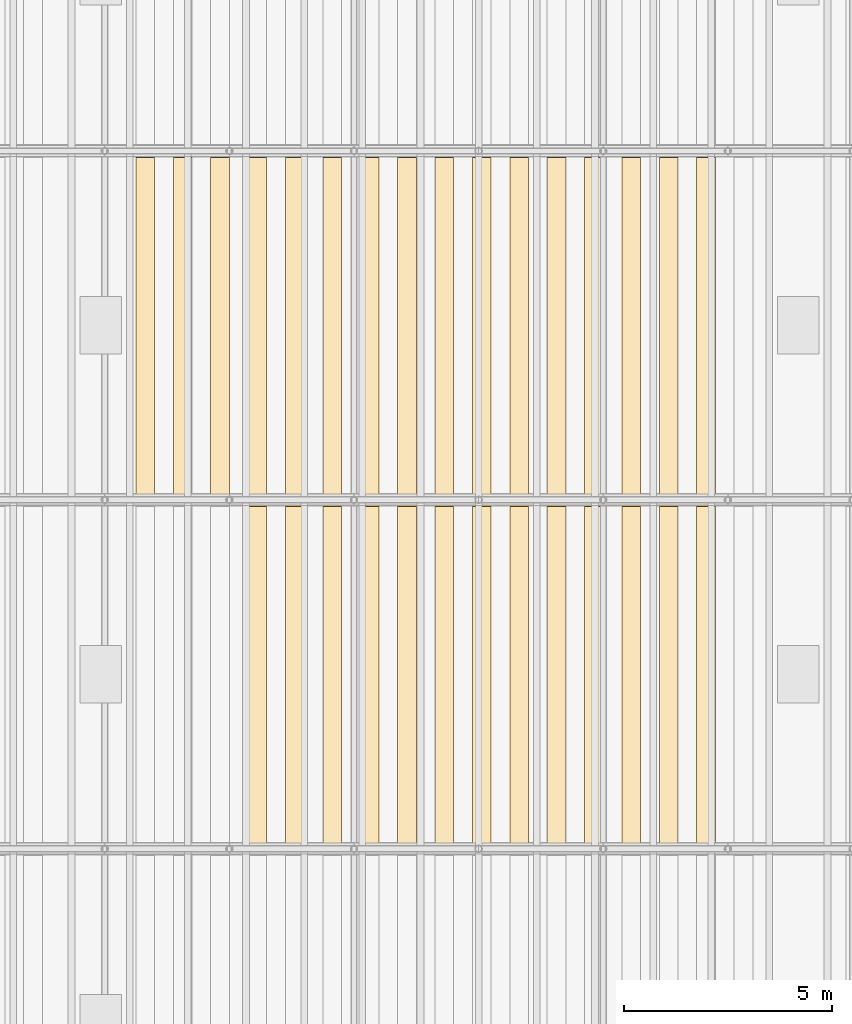
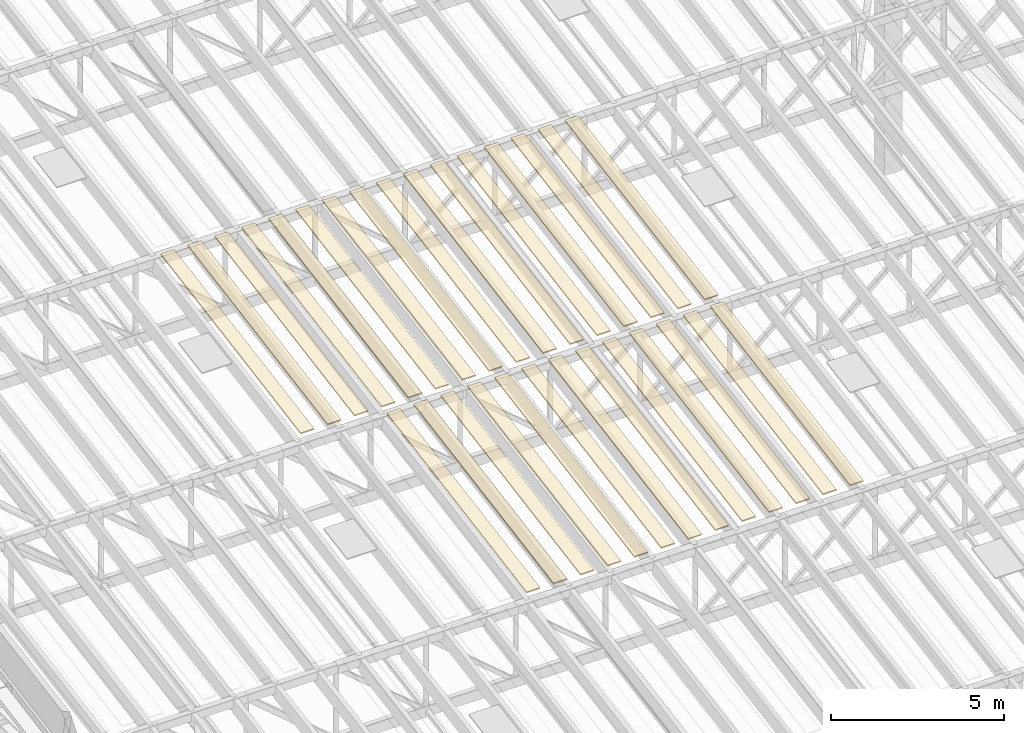
# One storey, part 80 of 91: 29 coverings.
"""IFC4 building model written with IfcOpenShell, lengths in metres."""

import ifcopenshell
import ifcopenshell.guid

model = None  # the IFC model being written
_history = None  # IfcOwnerHistory: only IFC2X3 demands one
_inside = {}  # id of a spatial element -> (the spatial element, [elements in it])
_under = {}  # id of a project, library or spatial element -> (it, [spatial elements below it])
_declared = {}  # id of a project -> (the project, [libraries it declares])
_typed = {}  # id of a type object -> (the type object, [elements of that type])
_made_of = {}  # id of a material, layer set ... -> (it, [elements and type objects made of it])


def new_model(schema):
    """Start an empty IFC model of exactly this schema.

    Asked for "IFC4X3", IfcOpenShell would pick the latest addendum, in which some entities
    have other attributes; the version numbers below select the first issue.
    IFC2X3 requires an IfcOwnerHistory on every rooted entity: one is made here for all.
    """
    global model, _history
    if schema == "IFC4X3":
        model = ifcopenshell.file(schema_version=(4, 3, 0, 0))
    else:
        model = ifcopenshell.file(schema=schema)
    _inside.clear()
    _under.clear()
    _declared.clear()
    _typed.clear()
    _made_of.clear()
    _history = None
    if model.schema == "IFC2X3":
        org = make("IfcOrganization", Name="unknown")
        user = make(
            "IfcPersonAndOrganization",
            ThePerson=make("IfcPerson", FamilyName="unknown"),
            TheOrganization=org,
        )
        app = make(
            "IfcApplication",
            ApplicationDeveloper=org,
            Version="unknown",
            ApplicationFullName="unknown",
            ApplicationIdentifier="unknown",
        )
        _history = make(
            "IfcOwnerHistory",
            OwningUser=user,
            OwningApplication=app,
            ChangeAction="ADDED",
            CreationDate=0,
        )
    return model


def make(cls, **values):
    """One entity of the class cls with the attributes given. An attribute that is None is left unset."""
    return model.create_entity(
        cls, **{name: value for name, value in values.items() if value is not None}
    )


def rooted(cls, **values):
    """An entity with a GlobalId (a new one), such as an element, a storey or a relation."""
    return make(cls, GlobalId=ifcopenshell.guid.new(), OwnerHistory=_history, **values)


def si_unit(unit_type, name, prefix=None):
    """IfcSIUnit, for example si_unit("LENGTHUNIT", "METRE", prefix="MILLI")."""
    return make("IfcSIUnit", UnitType=unit_type, Prefix=prefix, Name=name)


def assignment(units):
    """IfcUnitAssignment: the units of a project."""
    return None if units is None else make("IfcUnitAssignment", Units=units)


def point(xyz):
    """IfcCartesianPoint."""
    return None if xyz is None else make("IfcCartesianPoint", Coordinates=xyz)


def direction(xyz):
    """IfcDirection."""
    return None if xyz is None else make("IfcDirection", DirectionRatios=xyz)


def frame(location, z_axis=None, x_axis=None):
    """IfcAxis2Placement3D, a coordinate frame: its origin and axes. An axis left out is left unset."""
    return make(
        "IfcAxis2Placement3D",
        Location=point(location),
        Axis=direction(z_axis),
        RefDirection=direction(x_axis),
    )


def origin():
    """The frame at (0, 0, 0) with its axes left unset."""
    return frame((0.0, 0.0, 0.0))


def place(relative_to, where):
    """IfcLocalPlacement: puts the frame where relative to a parent placement (None: the world)."""
    return make(
        "IfcLocalPlacement", PlacementRelTo=relative_to, RelativePlacement=where
    )


def context(
    kind, dimensions, precision=None, world=None, true_north=None, identifier=None
):
    """IfcGeometricRepresentationContext, for example the 3D "Model" context."""
    return make(
        "IfcGeometricRepresentationContext",
        ContextIdentifier=identifier,
        ContextType=kind,
        CoordinateSpaceDimension=dimensions,
        Precision=precision,
        WorldCoordinateSystem=world,
        TrueNorth=true_north,
    )


def subcontext(parent, identifier, kind, view, scale=None):
    """IfcGeometricRepresentationSubContext, for example "Body" below "Model"."""
    return make(
        "IfcGeometricRepresentationSubContext",
        ContextIdentifier=identifier,
        ContextType=kind,
        ParentContext=parent,
        TargetScale=scale,
        TargetView=view,
    )


def project(units=None, contexts=None):
    """IfcProject with its units and contexts."""
    return rooted(
        "IfcProject",
        Name="project",
        RepresentationContexts=contexts,
        UnitsInContext=assignment(units),
    )


def spatial(cls, under=None, at=None, **own):
    """A site, building, storey or space (cls), placed at a placement, below another one or the project."""
    s = rooted(cls, ObjectPlacement=at, **own)
    if under is not None:
        _under.setdefault(under.id(), (under, []))[1].append(s)
    return s


def polyline(points):
    """IfcPolyline through the points."""
    return make("IfcPolyline", Points=[point(p) for p in points])


def outline(outer, holes=None, kind="AREA"):
    """IfcArbitraryClosedProfileDef: a profile drawn as a closed curve; with holes, ...WithVoids."""
    if holes is None:
        return make("IfcArbitraryClosedProfileDef", ProfileType=kind, OuterCurve=outer)
    return make(
        "IfcArbitraryProfileDefWithVoids",
        ProfileType=kind,
        OuterCurve=outer,
        InnerCurves=holes,
    )


def extrude(swept, where, along, depth):
    """IfcExtrudedAreaSolid: the profile swept, set in the frame where, extruded along a direction by depth."""
    return make(
        "IfcExtrudedAreaSolid",
        SweptArea=swept,
        Position=where,
        ExtrudedDirection=direction(along),
        Depth=depth,
    )


def shape(context_of_items, identifier, shape_type, items):
    """IfcShapeRepresentation: the items that make up one representation, for example the "Body"."""
    return make(
        "IfcShapeRepresentation",
        ContextOfItems=context_of_items,
        RepresentationIdentifier=identifier,
        RepresentationType=shape_type,
        Items=items,
    )


def material(Name=None, Category=None):
    """IfcMaterial."""
    return make("IfcMaterial", Name=Name, Category=Category)


def layer(
    of_material, thickness, ventilated=None, Name=None, Category=None, Priority=None
):
    """IfcMaterialLayer: one layer of a wall or slab, of a material (None: an air gap)."""
    return make(
        "IfcMaterialLayer",
        Material=of_material,
        LayerThickness=thickness,
        IsVentilated=ventilated,
        Name=Name,
        Category=Category,
        Priority=Priority,
    )


def layer_set(layers, Name=None):
    """IfcMaterialLayerSet."""
    return make("IfcMaterialLayerSet", MaterialLayers=layers, LayerSetName=Name)


def made_of(thing, what):
    """Note that an element or type object is made of a material, layer set ...; save() writes the relation."""
    if what is not None:
        _made_of.setdefault(what.id(), (what, []))[1].append(thing)
    return thing


def type_object(cls, material=None, **own):
    """A type object (cls), such as IfcWallType, which elements share."""
    return made_of(rooted(cls, **own), material)


def element(
    cls,
    number,
    at=None,
    inside=None,
    cuts=None,
    type_object=None,
    material=None,
    context=None,
    identifier="Body",
    shape_type=None,
    held_by="IfcProductDefinitionShape",
    body=None,
    shapes=None,
    **own,
):
    """One element of the class cls, such as IfcWall. Its Tag is "e" and its number.

    at: its placement. inside: the storey or other place that contains it. cuts: it is an
    opening in that element (IfcRelVoidsElement). A single representation is given by context,
    identifier, shape_type and body (its items); several are given by shapes. held_by: the class
    of the entity that holds the representations. save() writes the other relations.
    """
    e = rooted(cls, Tag="e%d" % number, ObjectPlacement=at, **own)
    if body is not None:
        shapes = [shape(context, identifier, shape_type, body)]
    if shapes is not None:
        e.Representation = make(held_by, Representations=shapes)
    if inside is not None:
        _inside.setdefault(inside.id(), (inside, []))[1].append(e)
    if cuts is not None:
        rooted(
            "IfcRelVoidsElement", RelatingBuildingElement=cuts, RelatedOpeningElement=e
        )
    if type_object is not None:
        _typed.setdefault(type_object.id(), (type_object, []))[1].append(e)
    return made_of(e, material)


def aggregate(whole, parts):
    """IfcRelAggregates: a whole, such as a stair, and the parts it consists of."""
    return rooted("IfcRelAggregates", RelatingObject=whole, RelatedObjects=parts)


def save(model, path):
    """Write the relations noted so far, then the file.

    IfcRelAggregates (storeys below a building ...), IfcRelContainedInSpatialStructure (elements
    in a storey), IfcRelDefinesByType, IfcRelAssociatesMaterial and IfcRelDeclares: one each for
    every whole, place, type object, material and project.
    """
    for whole, parts in _under.values():
        aggregate(whole, parts)
    for where, things in _inside.values():
        rooted(
            "IfcRelContainedInSpatialStructure",
            RelatedElements=things,
            RelatingStructure=where,
        )
    for kind, things in _typed.values():
        rooted("IfcRelDefinesByType", RelatedObjects=things, RelatingType=kind)
    for what, things in _made_of.values():
        rooted("IfcRelAssociatesMaterial", RelatedObjects=things, RelatingMaterial=what)
    for by, libraries in _declared.values():
        rooted("IfcRelDeclares", RelatingContext=by, RelatedDefinitions=libraries)
    model.write(path)


model = new_model("IFC4")

# Units and contexts
model_context = context("Model", 3, precision=1e-05, world=origin(), true_north=direction((0.0, 1.0)))
body_context = subcontext(model_context, "Body", "Model", "MODEL_VIEW")
ifc_project = project(units=[si_unit("LENGTHUNIT", "METRE"), si_unit("AREAUNIT", "SQUARE_METRE"), si_unit("VOLUMEUNIT", "CUBIC_METRE"), si_unit("PLANEANGLEUNIT", "RADIAN"), si_unit("MASSUNIT", "GRAM", prefix="KILO")], contexts=[model_context])

# Site, building, storey
site_placement = place(None, origin())
site = spatial("IfcSite", under=ifc_project, at=site_placement, CompositionType="ELEMENT")
building_placement = place(site_placement, origin())
building = spatial("IfcBuilding", under=site, at=building_placement, Name="Almond Square Museum", CompositionType="ELEMENT")
storey_placement = place(building_placement, frame((0.0, 0.0, 30.0)))
storey = spatial("IfcBuildingStorey", under=building, at=storey_placement, Name="L05", CompositionType="ELEMENT", Elevation=30.0)

# Coverings
ifc_material = material(Name="Cedar timber roof board", Category="wood")
ifc_layer = layer(ifc_material, 0.0400390625)
ifc_layer_set = layer_set([ifc_layer], Name="Cedar timber roof board")
covering_type = type_object("IfcCoveringType", Name="Hall roof board 450 x 40", PredefinedType="CLADDING", material=ifc_layer_set)
covering_1_placement = place(storey_placement, frame((122.699951171875, 75.449951171875, 10.8837890625), z_axis=(0.0, -0.17238105195, 0.985030341121), x_axis=(-1.0, 0.0, 0.0)))
element("IfcCovering", 1, at=covering_1_placement, inside=storey, type_object=covering_type, Name="Hall roof board", PredefinedType="CLADDING", context=body_context, shape_type="SweptSolid", body=[
    extrude(outline(polyline([(0.0, 0.0), (0.449951171875, 0.0), (0.449951171875, 8.22294824584652), (0.0, 8.22294824584652), (0.0, 0.0)])), origin(), (0.0, 0.0, 1.0), 0.0400390625),
])
covering_2_placement = place(storey_placement, frame((123.60009765625, 75.449951171875, 10.8837890625), z_axis=(0.0, -0.17238105195, 0.985030341121), x_axis=(-1.0, 0.0, 0.0)))
element("IfcCovering", 2, at=covering_2_placement, inside=storey, type_object=covering_type, Name="Hall roof board", PredefinedType="CLADDING", context=body_context, shape_type="SweptSolid", body=[
    extrude(outline(polyline([(0.0, 0.0), (0.4501953125, 0.0), (0.4501953125, 8.222948245846522), (0.0, 8.222948245846522), (0.0, 0.0)])), origin(), (0.0, 0.0, 1.0), 0.0400390625),
])
for number, where, z_axis, x_axis, name in (
    (3, (124.5, 75.449951171875, 10.8837890625), (0.0, -0.17238105195, 0.985030341121), (-1.0, 0.0, 0.0), "Hall roof board"),
    (4, (125.39990234375, 75.449951171875, 10.8837890625), (0.0, -0.17238105195, 0.985030341121), (-1.0, 0.0, 0.0), "Hall roof board"),
    (5, (126.300048828125, 75.449951171875, 10.8837890625), (0.0, -0.17238105195, 0.985030341121), (-1.0, 0.0, 0.0), "Hall roof board"),
    (6, (127.199951171875, 75.449951171875, 10.8837890625), (0.0, -0.17238105195, 0.985030341121), (-1.0, 0.0, 0.0), "Hall roof board"),
):
    element("IfcCovering", number, at=place(storey_placement, frame(where, z_axis=z_axis, x_axis=x_axis)), inside=storey, type_object=covering_type, Name=name, PredefinedType="CLADDING", context=body_context, shape_type="SweptSolid", body=[
        extrude(outline(polyline([(0.0, 0.0), (0.449951171875, 0.0), (0.449951171875, 8.22294824584652), (0.0, 8.22294824584652), (0.0, 0.0)])), origin(), (0.0, 0.0, 1.0), 0.0400390625),
    ])
covering_3_placement = place(storey_placement, frame((128.10009765625, 75.449951171875, 10.8837890625), z_axis=(0.0, -0.17238105195, 0.985030341121), x_axis=(-1.0, 0.0, 0.0)))
element("IfcCovering", 7, at=covering_3_placement, inside=storey, type_object=covering_type, Name="Hall roof board", PredefinedType="CLADDING", context=body_context, shape_type="SweptSolid", body=[
    extrude(outline(polyline([(0.0, 0.0), (0.4501953125, 0.0), (0.4501953125, 8.222948245846522), (0.0, 8.222948245846522), (0.0, 0.0)])), origin(), (0.0, 0.0, 1.0), 0.0400390625),
])
for number, where, z_axis, x_axis, name in (
    (8, (129.0, 75.449951171875, 10.8837890625), (0.0, -0.17238105195, 0.985030341121), (-1.0, 0.0, 0.0), "Hall roof board"),
    (9, (129.89990234375, 75.449951171875, 10.8837890625), (0.0, -0.17238105195, 0.985030341121), (-1.0, 0.0, 0.0), "Hall roof board"),
    (10, (130.800048828125, 75.449951171875, 10.8837890625), (0.0, -0.17238105195, 0.985030341121), (-1.0, 0.0, 0.0), "Hall roof board"),
    (11, (131.699951171875, 75.449951171875, 10.8837890625), (0.0, -0.17238105195, 0.985030341121), (-1.0, 0.0, 0.0), "Hall roof board"),
):
    element("IfcCovering", number, at=place(storey_placement, frame(where, z_axis=z_axis, x_axis=x_axis)), inside=storey, type_object=covering_type, Name=name, PredefinedType="CLADDING", context=body_context, shape_type="SweptSolid", body=[
        extrude(outline(polyline([(0.0, 0.0), (0.449951171875, 0.0), (0.449951171875, 8.22294824584652), (0.0, 8.22294824584652), (0.0, 0.0)])), origin(), (0.0, 0.0, 1.0), 0.0400390625),
    ])
covering_4_placement = place(storey_placement, frame((132.60009765625, 75.449951171875, 10.8837890625), z_axis=(0.0, -0.17238105195, 0.985030341121), x_axis=(-1.0, 0.0, 0.0)))
element("IfcCovering", 12, at=covering_4_placement, inside=storey, type_object=covering_type, Name="Hall roof board", PredefinedType="CLADDING", context=body_context, shape_type="SweptSolid", body=[
    extrude(outline(polyline([(0.0, 0.0), (0.4501953125, 0.0), (0.4501953125, 8.222948245846522), (0.0, 8.222948245846522), (0.0, 0.0)])), origin(), (0.0, 0.0, 1.0), 0.0400390625),
])
covering_5_placement = place(storey_placement, frame((133.5, 75.449951171875, 10.8837890625), z_axis=(0.0, -0.17238105195, 0.985030341121), x_axis=(-1.0, 0.0, 0.0)))
element("IfcCovering", 13, at=covering_5_placement, inside=storey, type_object=covering_type, Name="Hall roof board", PredefinedType="CLADDING", context=body_context, shape_type="SweptSolid", body=[
    extrude(outline(polyline([(0.0, 0.0), (0.449951171875, 0.0), (0.449951171875, 8.22294824584652), (0.0, 8.22294824584652), (0.0, 0.0)])), origin(), (0.0, 0.0, 1.0), 0.0400390625),
])
for number, where, z_axis, x_axis, name in (
    (14, (120.0, 83.85009765625, 12.353759765625), (0.0, -0.17237601069, 0.985031223332), (-1.0, 0.0, 0.0), "Hall roof board"),
    (15, (120.89990234375, 83.85009765625, 12.353759765625), (0.0, -0.17237601069, 0.985031223332), (-1.0, 0.0, 0.0), "Hall roof board"),
    (16, (121.800048828125, 83.85009765625, 12.353759765625), (0.0, -0.17237601069, 0.985031223332), (-1.0, 0.0, 0.0), "Hall roof board"),
    (17, (122.699951171875, 83.85009765625, 12.353759765625), (0.0, -0.17237601069, 0.985031223332), (-1.0, 0.0, 0.0), "Hall roof board"),
):
    element("IfcCovering", number, at=place(storey_placement, frame(where, z_axis=z_axis, x_axis=x_axis)), inside=storey, type_object=covering_type, Name=name, PredefinedType="CLADDING", context=body_context, shape_type="SweptSolid", body=[
        extrude(outline(polyline([(0.0, 0.0), (0.449951171875, 0.0), (0.449951171875, 8.223188731877341), (0.0, 8.223188731877341), (0.0, 0.0)])), origin(), (0.0, 0.0, 1.0), 0.0400390625),
    ])
covering_6_placement = place(storey_placement, frame((123.60009765625, 83.85009765625, 12.353759765625), z_axis=(0.0, -0.17237601069, 0.985031223332), x_axis=(-1.0, 0.0, 0.0)))
element("IfcCovering", 18, at=covering_6_placement, inside=storey, type_object=covering_type, Name="Hall roof board", PredefinedType="CLADDING", context=body_context, shape_type="SweptSolid", body=[
    extrude(outline(polyline([(0.0, 0.0), (0.4501953125, 0.0), (0.4501953125, 8.223188731877341), (0.0, 8.223188731877341), (0.0, 0.0)])), origin(), (0.0, 0.0, 1.0), 0.0400390625),
])
for number, where, z_axis, x_axis, name in (
    (19, (124.5, 83.85009765625, 12.353759765625), (0.0, -0.17237601069, 0.985031223332), (-1.0, 0.0, 0.0), "Hall roof board"),
    (20, (125.39990234375, 83.85009765625, 12.353759765625), (0.0, -0.17237601069, 0.985031223332), (-1.0, 0.0, 0.0), "Hall roof board"),
    (21, (126.300048828125, 83.85009765625, 12.353759765625), (0.0, -0.17237601069, 0.985031223332), (-1.0, 0.0, 0.0), "Hall roof board"),
    (22, (127.199951171875, 83.85009765625, 12.353759765625), (0.0, -0.17237601069, 0.985031223332), (-1.0, 0.0, 0.0), "Hall roof board"),
):
    element("IfcCovering", number, at=place(storey_placement, frame(where, z_axis=z_axis, x_axis=x_axis)), inside=storey, type_object=covering_type, Name=name, PredefinedType="CLADDING", context=body_context, shape_type="SweptSolid", body=[
        extrude(outline(polyline([(0.0, 0.0), (0.449951171875, 0.0), (0.449951171875, 8.223188731877341), (0.0, 8.223188731877341), (0.0, 0.0)])), origin(), (0.0, 0.0, 1.0), 0.0400390625),
    ])
covering_7_placement = place(storey_placement, frame((128.10009765625, 83.85009765625, 12.353759765625), z_axis=(0.0, -0.17237601069, 0.985031223332), x_axis=(-1.0, 0.0, 0.0)))
element("IfcCovering", 23, at=covering_7_placement, inside=storey, type_object=covering_type, Name="Hall roof board", PredefinedType="CLADDING", context=body_context, shape_type="SweptSolid", body=[
    extrude(outline(polyline([(0.0, 0.0), (0.4501953125, 0.0), (0.4501953125, 8.223188731877341), (0.0, 8.223188731877341), (0.0, 0.0)])), origin(), (0.0, 0.0, 1.0), 0.0400390625),
])
for number, where, z_axis, x_axis, name in (
    (24, (129.0, 83.85009765625, 12.353759765625), (0.0, -0.17237601069, 0.985031223332), (-1.0, 0.0, 0.0), "Hall roof board"),
    (25, (129.89990234375, 83.85009765625, 12.353759765625), (0.0, -0.17237601069, 0.985031223332), (-1.0, 0.0, 0.0), "Hall roof board"),
    (26, (130.800048828125, 83.85009765625, 12.353759765625), (0.0, -0.17237601069, 0.985031223332), (-1.0, 0.0, 0.0), "Hall roof board"),
    (27, (131.699951171875, 83.85009765625, 12.353759765625), (0.0, -0.17237601069, 0.985031223332), (-1.0, 0.0, 0.0), "Hall roof board"),
):
    element("IfcCovering", number, at=place(storey_placement, frame(where, z_axis=z_axis, x_axis=x_axis)), inside=storey, type_object=covering_type, Name=name, PredefinedType="CLADDING", context=body_context, shape_type="SweptSolid", body=[
        extrude(outline(polyline([(0.0, 0.0), (0.449951171875, 0.0), (0.449951171875, 8.223188731877341), (0.0, 8.223188731877341), (0.0, 0.0)])), origin(), (0.0, 0.0, 1.0), 0.0400390625),
    ])
covering_8_placement = place(storey_placement, frame((132.60009765625, 83.85009765625, 12.353759765625), z_axis=(0.0, -0.17237601069, 0.985031223332), x_axis=(-1.0, 0.0, 0.0)))
element("IfcCovering", 28, at=covering_8_placement, inside=storey, type_object=covering_type, Name="Hall roof board", PredefinedType="CLADDING", context=body_context, shape_type="SweptSolid", body=[
    extrude(outline(polyline([(0.0, 0.0), (0.4501953125, 0.0), (0.4501953125, 8.223188731877341), (0.0, 8.223188731877341), (0.0, 0.0)])), origin(), (0.0, 0.0, 1.0), 0.0400390625),
])
covering_9_placement = place(storey_placement, frame((133.5, 83.85009765625, 12.353759765625), z_axis=(0.0, -0.17237601069, 0.985031223332), x_axis=(-1.0, 0.0, 0.0)))
element("IfcCovering", 29, at=covering_9_placement, inside=storey, type_object=covering_type, Name="Hall roof board", PredefinedType="CLADDING", context=body_context, shape_type="SweptSolid", body=[
    extrude(outline(polyline([(0.0, 0.0), (0.449951171875, 0.0), (0.449951171875, 8.223188731877341), (0.0, 8.223188731877341), (0.0, 0.0)])), origin(), (0.0, 0.0, 1.0), 0.0400390625),
])

save(model, "model.ifc")
